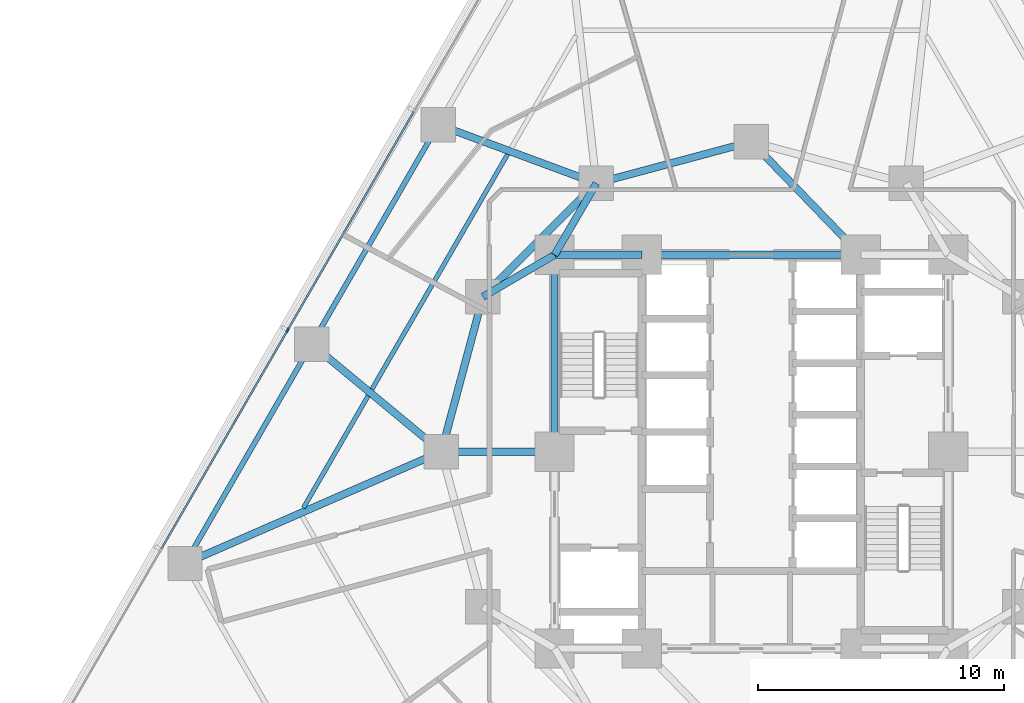
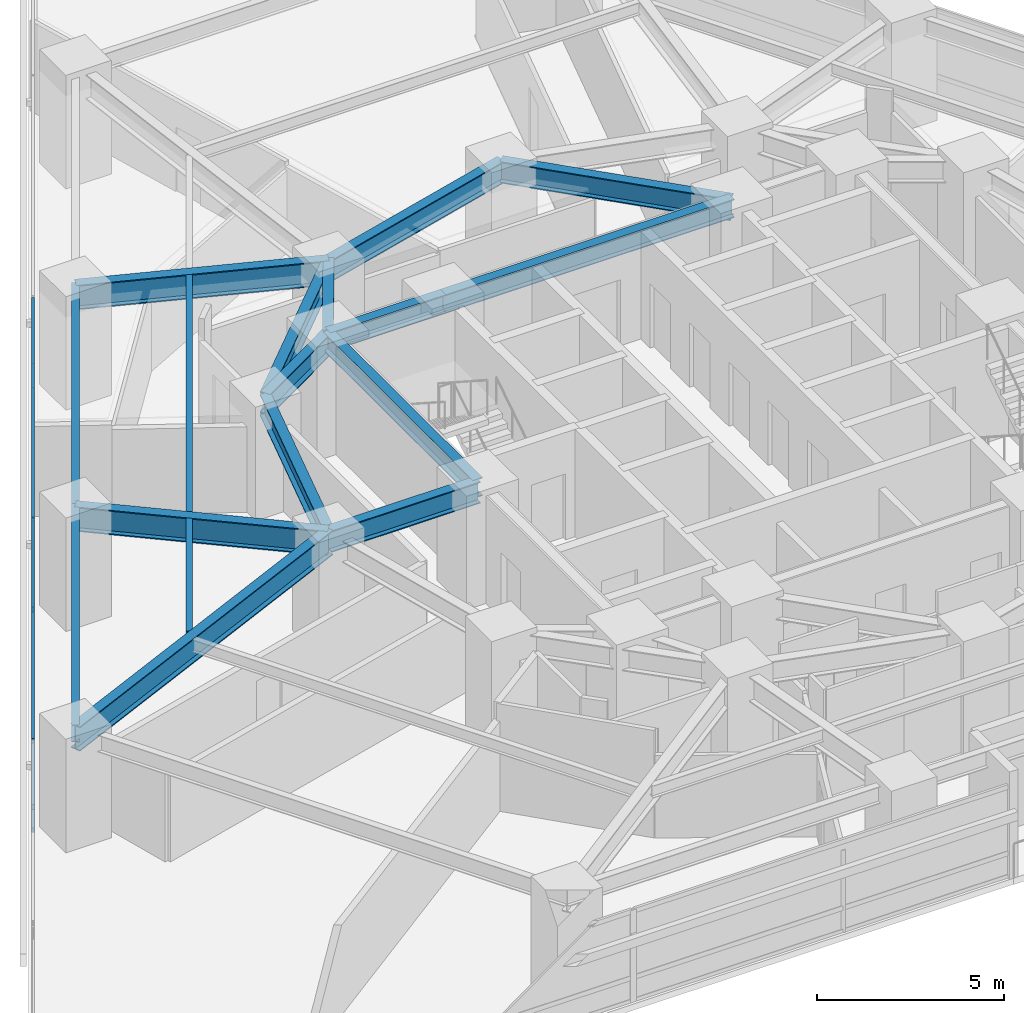
# One storey, part 3 of 16: 17 beams, 7 members, 1 element without a shape of its own.
"""IFC4 building model written with IfcOpenShell, lengths in metres."""

import ifcopenshell
import ifcopenshell.guid

model = None  # the IFC model being written
_history = None  # IfcOwnerHistory: only IFC2X3 demands one
_inside = {}  # id of a spatial element -> (the spatial element, [elements in it])
_under = {}  # id of a project, library or spatial element -> (it, [spatial elements below it])
_declared = {}  # id of a project -> (the project, [libraries it declares])
_typed = {}  # id of a type object -> (the type object, [elements of that type])
_made_of = {}  # id of a material, layer set ... -> (it, [elements and type objects made of it])


def new_model(schema):
    """Start an empty IFC model of exactly this schema.

    Asked for "IFC4X3", IfcOpenShell would pick the latest addendum, in which some entities
    have other attributes; the version numbers below select the first issue.
    IFC2X3 requires an IfcOwnerHistory on every rooted entity: one is made here for all.
    """
    global model, _history
    if schema == "IFC4X3":
        model = ifcopenshell.file(schema_version=(4, 3, 0, 0))
    else:
        model = ifcopenshell.file(schema=schema)
    _inside.clear()
    _under.clear()
    _declared.clear()
    _typed.clear()
    _made_of.clear()
    _history = None
    if model.schema == "IFC2X3":
        org = make("IfcOrganization", Name="unknown")
        user = make(
            "IfcPersonAndOrganization",
            ThePerson=make("IfcPerson", FamilyName="unknown"),
            TheOrganization=org,
        )
        app = make(
            "IfcApplication",
            ApplicationDeveloper=org,
            Version="unknown",
            ApplicationFullName="unknown",
            ApplicationIdentifier="unknown",
        )
        _history = make(
            "IfcOwnerHistory",
            OwningUser=user,
            OwningApplication=app,
            ChangeAction="ADDED",
            CreationDate=0,
        )
    return model


def make(cls, **values):
    """One entity of the class cls with the attributes given. An attribute that is None is left unset."""
    return model.create_entity(
        cls, **{name: value for name, value in values.items() if value is not None}
    )


def rooted(cls, **values):
    """An entity with a GlobalId (a new one), such as an element, a storey or a relation."""
    return make(cls, GlobalId=ifcopenshell.guid.new(), OwnerHistory=_history, **values)


def si_unit(unit_type, name, prefix=None):
    """IfcSIUnit, for example si_unit("LENGTHUNIT", "METRE", prefix="MILLI")."""
    return make("IfcSIUnit", UnitType=unit_type, Prefix=prefix, Name=name)


def assignment(units):
    """IfcUnitAssignment: the units of a project."""
    return None if units is None else make("IfcUnitAssignment", Units=units)


def point(xyz):
    """IfcCartesianPoint."""
    return None if xyz is None else make("IfcCartesianPoint", Coordinates=xyz)


def direction(xyz):
    """IfcDirection."""
    return None if xyz is None else make("IfcDirection", DirectionRatios=xyz)


def frame(location, z_axis=None, x_axis=None):
    """IfcAxis2Placement3D, a coordinate frame: its origin and axes. An axis left out is left unset."""
    return make(
        "IfcAxis2Placement3D",
        Location=point(location),
        Axis=direction(z_axis),
        RefDirection=direction(x_axis),
    )


def frame_2d(location, x_axis=None):
    """IfcAxis2Placement2D, a coordinate frame in the plane: its origin and x axis."""
    return make(
        "IfcAxis2Placement2D", Location=point(location), RefDirection=direction(x_axis)
    )


def origin():
    """The frame at (0, 0, 0) with its axes left unset."""
    return frame((0.0, 0.0, 0.0))


def origin_2d():
    """The frame at (0, 0) in the plane with its x axis left unset."""
    return frame_2d((0.0, 0.0))


def place(relative_to, where):
    """IfcLocalPlacement: puts the frame where relative to a parent placement (None: the world)."""
    return make(
        "IfcLocalPlacement", PlacementRelTo=relative_to, RelativePlacement=where
    )


def context(
    kind, dimensions, precision=None, world=None, true_north=None, identifier=None
):
    """IfcGeometricRepresentationContext, for example the 3D "Model" context."""
    return make(
        "IfcGeometricRepresentationContext",
        ContextIdentifier=identifier,
        ContextType=kind,
        CoordinateSpaceDimension=dimensions,
        Precision=precision,
        WorldCoordinateSystem=world,
        TrueNorth=true_north,
    )


def subcontext(parent, identifier, kind, view, scale=None):
    """IfcGeometricRepresentationSubContext, for example "Body" below "Model"."""
    return make(
        "IfcGeometricRepresentationSubContext",
        ContextIdentifier=identifier,
        ContextType=kind,
        ParentContext=parent,
        TargetScale=scale,
        TargetView=view,
    )


def project(units=None, contexts=None):
    """IfcProject with its units and contexts."""
    return rooted(
        "IfcProject",
        Name="project",
        RepresentationContexts=contexts,
        UnitsInContext=assignment(units),
    )


def spatial(cls, under=None, at=None, **own):
    """A site, building, storey or space (cls), placed at a placement, below another one or the project."""
    s = rooted(cls, ObjectPlacement=at, **own)
    if under is not None:
        _under.setdefault(under.id(), (under, []))[1].append(s)
    return s


def profile(cls, at=None, kind="AREA", **sizes):
    """A parametric profile (cls). Its sizes go by their IFC names, for example OverallWidth=200.0."""
    return make(cls, ProfileType=kind, Position=at, **sizes)


def rectangle(**sizes):
    """IfcRectangleProfileDef."""
    return profile("IfcRectangleProfileDef", **sizes)


def i_section(**sizes):
    """IfcIShapeProfileDef."""
    return profile("IfcIShapeProfileDef", **sizes)


def extrude(swept, where, along, depth):
    """IfcExtrudedAreaSolid: the profile swept, set in the frame where, extruded along a direction by depth."""
    return make(
        "IfcExtrudedAreaSolid",
        SweptArea=swept,
        Position=where,
        ExtrudedDirection=direction(along),
        Depth=depth,
    )


def shape(context_of_items, identifier, shape_type, items):
    """IfcShapeRepresentation: the items that make up one representation, for example the "Body"."""
    return make(
        "IfcShapeRepresentation",
        ContextOfItems=context_of_items,
        RepresentationIdentifier=identifier,
        RepresentationType=shape_type,
        Items=items,
    )


def material(Name=None, Category=None):
    """IfcMaterial."""
    return make("IfcMaterial", Name=Name, Category=Category)


def layer(
    of_material, thickness, ventilated=None, Name=None, Category=None, Priority=None
):
    """IfcMaterialLayer: one layer of a wall or slab, of a material (None: an air gap)."""
    return make(
        "IfcMaterialLayer",
        Material=of_material,
        LayerThickness=thickness,
        IsVentilated=ventilated,
        Name=Name,
        Category=Category,
        Priority=Priority,
    )


def layer_set(layers, Name=None):
    """IfcMaterialLayerSet."""
    return make("IfcMaterialLayerSet", MaterialLayers=layers, LayerSetName=Name)


def material_profile(
    of_material, cross_section, Name=None, Category=None, Priority=None
):
    """IfcMaterialProfile: a cross section and its material."""
    return make(
        "IfcMaterialProfile",
        Name=Name,
        Material=of_material,
        Profile=cross_section,
        Priority=Priority,
        Category=Category,
    )


def profile_set(profiles, Name=None, composite=None):
    """IfcMaterialProfileSet."""
    return make(
        "IfcMaterialProfileSet",
        Name=Name,
        MaterialProfiles=profiles,
        CompositeProfile=composite,
    )


def made_of(thing, what):
    """Note that an element or type object is made of a material, layer set ...; save() writes the relation."""
    if what is not None:
        _made_of.setdefault(what.id(), (what, []))[1].append(thing)
    return thing


def type_object(cls, material=None, **own):
    """A type object (cls), such as IfcWallType, which elements share."""
    return made_of(rooted(cls, **own), material)


def element(
    cls,
    number,
    at=None,
    inside=None,
    cuts=None,
    type_object=None,
    material=None,
    context=None,
    identifier="Body",
    shape_type=None,
    held_by="IfcProductDefinitionShape",
    body=None,
    shapes=None,
    **own,
):
    """One element of the class cls, such as IfcWall. Its Tag is "e" and its number.

    at: its placement. inside: the storey or other place that contains it. cuts: it is an
    opening in that element (IfcRelVoidsElement). A single representation is given by context,
    identifier, shape_type and body (its items); several are given by shapes. held_by: the class
    of the entity that holds the representations. save() writes the other relations.
    """
    e = rooted(cls, Tag="e%d" % number, ObjectPlacement=at, **own)
    if body is not None:
        shapes = [shape(context, identifier, shape_type, body)]
    if shapes is not None:
        e.Representation = make(held_by, Representations=shapes)
    if inside is not None:
        _inside.setdefault(inside.id(), (inside, []))[1].append(e)
    if cuts is not None:
        rooted(
            "IfcRelVoidsElement", RelatingBuildingElement=cuts, RelatedOpeningElement=e
        )
    if type_object is not None:
        _typed.setdefault(type_object.id(), (type_object, []))[1].append(e)
    return made_of(e, material)


def aggregate(whole, parts):
    """IfcRelAggregates: a whole, such as a stair, and the parts it consists of."""
    return rooted("IfcRelAggregates", RelatingObject=whole, RelatedObjects=parts)


def save(model, path):
    """Write the relations noted so far, then the file.

    IfcRelAggregates (storeys below a building ...), IfcRelContainedInSpatialStructure (elements
    in a storey), IfcRelDefinesByType, IfcRelAssociatesMaterial and IfcRelDeclares: one each for
    every whole, place, type object, material and project.
    """
    for whole, parts in _under.values():
        aggregate(whole, parts)
    for where, things in _inside.values():
        rooted(
            "IfcRelContainedInSpatialStructure",
            RelatedElements=things,
            RelatingStructure=where,
        )
    for kind, things in _typed.values():
        rooted("IfcRelDefinesByType", RelatedObjects=things, RelatingType=kind)
    for what, things in _made_of.values():
        rooted("IfcRelAssociatesMaterial", RelatedObjects=things, RelatingMaterial=what)
    for by, libraries in _declared.values():
        rooted("IfcRelDeclares", RelatingContext=by, RelatedDefinitions=libraries)
    model.write(path)


model = new_model("IFC4")

# Units and contexts
model_context = context("Model", 3, precision=1e-05, world=origin(), true_north=direction((0.0, 1.0)))
body_context = subcontext(model_context, "Body", "Model", "MODEL_VIEW")
ifc_project = project(units=[si_unit("LENGTHUNIT", "METRE"), si_unit("AREAUNIT", "SQUARE_METRE"), si_unit("VOLUMEUNIT", "CUBIC_METRE"), si_unit("PLANEANGLEUNIT", "RADIAN"), si_unit("MASSUNIT", "GRAM", prefix="KILO")], contexts=[model_context])

# Site, building, storey
site_placement = place(None, origin())
site = spatial("IfcSite", under=ifc_project, at=site_placement, CompositionType="ELEMENT")
building_placement = place(site_placement, origin())
building = spatial("IfcBuilding", under=site, at=building_placement, Name="Terralouvre Media Tower", CompositionType="ELEMENT")
storey_placement = place(building_placement, frame((0.0, 0.0, 44.5)))
storey = spatial("IfcBuildingStorey", under=building, at=storey_placement, Name="L10", CompositionType="ELEMENT", Elevation=44.5)

# Beams
ifc_material_1 = material(Name="Structural steel S355J2", Category="steel")
ifc_material_profile_1 = material_profile(ifc_material_1, i_section(OverallWidth=0.179931640625, OverallDepth=0.39990234375, WebThickness=0.008544921875, FlangeThickness=0.013427734375, at=origin_2d()), Name="IPE 400")
ifc_profile_set_1 = profile_set([ifc_material_profile_1], Name="Structural steel S355J2")
beam_type_1 = type_object("IfcBeamType", Name="Composite Floor Joist J-IPE400 (IPE 400)", PredefinedType="JOIST", material=ifc_profile_set_1)
beam_1_placement = place(storey_placement, frame((-9.90869140625, 12.091796875, 3.300048828125), z_axis=(-0.499996323086, -0.866027526641, 0.0), x_axis=(0.866027526641, -0.499996323086, 0.0)))
element("IfcBeam", 1, at=beam_1_placement, inside=storey, type_object=beam_type_1, Name="L10 Framing Beam JT-L10-11", PredefinedType="JOIST", context=body_context, shape_type="SweptSolid", body=[
    extrude(i_section(OverallWidth=0.179931640625, OverallDepth=0.39990234375, WebThickness=0.008544921875, FlangeThickness=0.013427734375, at=origin_2d()), origin(), (0.0, 0.0, 1.0), 11.03466796875),
])
beam_2_placement = place(storey_placement, frame((-15.576171875, 2.275390625, 3.300048828125), z_axis=(-0.500019514865, -0.866014136579, 0.0), x_axis=(0.866014136579, -0.500019514865, 0.0)))
element("IfcBeam", 2, at=beam_2_placement, inside=storey, type_object=beam_type_1, Name="L10 Framing Beam JT-L10-12", PredefinedType="JOIST", context=body_context, shape_type="SweptSolid", body=[
    extrude(i_section(OverallWidth=0.179931640625, OverallDepth=0.39990234375, WebThickness=0.008544921875, FlangeThickness=0.013427734375, at=origin_2d()), origin(), (0.0, 0.0, 1.0), 5.264404296875),
])

# Curtain wall, members
ifc_material_2 = material(Name="Low-iron laminated double glazing with solar-control coating", Category="glass")
ifc_layer = layer(ifc_material_2, 0.1650390625, Name="Lower Media Tower Unitised Curtain Wall CW-02")
ifc_layer_set = layer_set([ifc_layer], Name="Low-iron laminated double glazing with solar-control coating")
curtain_wall_type = type_object("IfcCurtainWallType", Name="Lower Media Tower Unitised Curtain Wall CW-02", PredefinedType="NOTDEFINED", material=ifc_layer_set)
curtain_wall_placement = place(storey_placement, origin())
curtain_wall = element("IfcCurtainWall", 3, at=curtain_wall_placement, inside=storey, type_object=curtain_wall_type, Name="L10 Facade Curtain Wall F2", PredefinedType="NOTDEFINED")
ifc_material_3 = material(Name="Anodised extruded aluminium 6063-T6", Category="aluminium")
ifc_material_profile_2 = material_profile(ifc_material_3, rectangle(XDim=0.074951171875, YDim=0.14990234375, at=origin_2d()), Name="ALU 75x150")
ifc_profile_set_2 = profile_set([ifc_material_profile_2], Name="Anodised extruded aluminium 6063-T6")
member_type_1 = type_object("IfcMemberType", Name="Curtain-Wall Horizontal Transom TR-150", PredefinedType="USERDEFINED", material=ifc_profile_set_2)
member_1_placement = place(storey_placement, frame((-13.72216796875, 13.825927734375, 0.03759765625), z_axis=(-0.50000905659, -0.866020174897, 0.0), x_axis=(0.866020174897, -0.50000905659, 0.0)))
member_1 = element("IfcMember", 4, at=member_1_placement, type_object=member_type_1, Name="CW-02 transom 3.1", ObjectType="TRANSOM", PredefinedType="USERDEFINED", context=body_context, shape_type="SweptSolid", body=[
    extrude(rectangle(XDim=0.074951171875, YDim=0.14990234375, at=origin_2d()), origin(), (0.0, 0.0, 1.0), 10.224853515625),
])
member_2_placement = place(storey_placement, frame((-13.72216796875, 13.825927734375, 0.800048828125), z_axis=(-0.50000905659, -0.866020174897, 0.0), x_axis=(0.866020174897, -0.50000905659, 0.0)))
member_2 = element("IfcMember", 5, at=member_2_placement, type_object=member_type_1, Name="CW-02 transom 3.2", ObjectType="TRANSOM", PredefinedType="USERDEFINED", context=body_context, shape_type="SweptSolid", body=[
    extrude(rectangle(XDim=0.074951171875, YDim=0.14990234375, at=origin_2d()), origin(), (0.0, 0.0, 1.0), 10.224853515625),
])
member_3_placement = place(storey_placement, frame((-13.72216796875, 13.825927734375, 2.96240234375), z_axis=(-0.50000905659, -0.866020174897, 0.0), x_axis=(0.866020174897, -0.50000905659, 0.0)))
member_3 = element("IfcMember", 6, at=member_3_placement, type_object=member_type_1, Name="CW-02 transom 3.3", ObjectType="TRANSOM", PredefinedType="USERDEFINED", context=body_context, shape_type="SweptSolid", body=[
    extrude(rectangle(XDim=0.074951171875, YDim=0.14990234375, at=origin_2d()), origin(), (0.0, 0.0, 1.0), 10.224853515625),
])
member_4_placement = place(storey_placement, frame((-18.872314453125, 4.90576171875, 0.03759765625), z_axis=(-0.499991148707, -0.866030514021, 0.0), x_axis=(0.866030514021, -0.499991148707, 0.0)))
member_4 = element("IfcMember", 7, at=member_4_placement, type_object=member_type_1, Name="CW-02 transom 4.1", ObjectType="TRANSOM", PredefinedType="USERDEFINED", context=body_context, shape_type="SweptSolid", body=[
    extrude(rectangle(XDim=0.074951171875, YDim=0.14990234375, at=origin_2d()), origin(), (0.0, 0.0, 1.0), 10.224853515625),
])
member_5_placement = place(storey_placement, frame((-18.872314453125, 4.90576171875, 0.800048828125), z_axis=(-0.499991148707, -0.866030514021, 0.0), x_axis=(0.866030514021, -0.499991148707, 0.0)))
member_5 = element("IfcMember", 8, at=member_5_placement, type_object=member_type_1, Name="CW-02 transom 4.2", ObjectType="TRANSOM", PredefinedType="USERDEFINED", context=body_context, shape_type="SweptSolid", body=[
    extrude(rectangle(XDim=0.074951171875, YDim=0.14990234375, at=origin_2d()), origin(), (0.0, 0.0, 1.0), 10.224853515625),
])
member_6_placement = place(storey_placement, frame((-18.872314453125, 4.90576171875, 2.96240234375), z_axis=(-0.499991148707, -0.866030514021, 0.0), x_axis=(0.866030514021, -0.499991148707, 0.0)))
member_6 = element("IfcMember", 9, at=member_6_placement, type_object=member_type_1, Name="CW-02 transom 4.3", ObjectType="TRANSOM", PredefinedType="USERDEFINED", context=body_context, shape_type="SweptSolid", body=[
    extrude(rectangle(XDim=0.074951171875, YDim=0.14990234375, at=origin_2d()), origin(), (0.0, 0.0, 1.0), 10.224853515625),
])
ifc_material_4 = material(Name="Anodised extruded aluminium 6063-T6", Category="aluminium")
ifc_material_profile_3 = material_profile(ifc_material_4, rectangle(XDim=0.074951171875, YDim=0.179931640625, at=origin_2d()), Name="ALU 75x180")
ifc_profile_set_3 = profile_set([ifc_material_profile_3], Name="Anodised extruded aluminium 6063-T6")
member_type_2 = type_object("IfcMemberType", Name="Curtain-Wall Vertical Mullion ML-180", PredefinedType="MULLION", material=ifc_profile_set_3)
member_7_placement = place(storey_placement, frame((-18.853515625, 4.938232421875, 0.0), z_axis=(0.0, 0.0, 1.0), x_axis=(0.866025412057, -0.499999985671, 0.0)))
member_7 = element("IfcMember", 10, at=member_7_placement, type_object=member_type_2, Name="CW-02 mullion 4", PredefinedType="MULLION", context=body_context, shape_type="SweptSolid", body=[
    extrude(rectangle(XDim=0.074951171875, YDim=0.179931640625, at=origin_2d()), origin(), (0.0, 0.0, 1.0), 3.0),
])
aggregate(curtain_wall, [member_7, member_1, member_2, member_3, member_4, member_5, member_6])

# Beams
ifc_material_5 = material(Name="Structural steel S355J2", Category="steel")
ifc_material_profile_4 = material_profile(ifc_material_5, i_section(OverallWidth=0.2099609375, OverallDepth=0.550048828125, WebThickness=0.010986328125, FlangeThickness=0.01708984375, at=origin_2d()), Name="IPE 550")
ifc_profile_set_4 = profile_set([ifc_material_profile_4], Name="Structural steel S355J2")
beam_type_2 = type_object("IfcBeamType", Name="Perimeter Spandrel Beam SPB-550 (IPE 550)", PredefinedType="SPANDREL", material=ifc_profile_set_4)
for number, where, z_axis, x_axis, name in (
    (11, (-12.724853515625, 13.29345703125, 3.22509765625), (-0.49998850195, -0.866032042085, 0.0), (0.866032042085, -0.49998850195, 0.0), "L10 Framing Beam BM-L10-PR11"),
    (12, (-17.874755859375, 4.373291015625, 3.22509765625), (-0.500016542852, -0.866015852554, 0.0), (0.866015852554, -0.500016542852, 0.0), "L10 Framing Beam BM-L10-PR12"),
):
    element("IfcBeam", number, at=place(storey_placement, frame(where, z_axis=z_axis, x_axis=x_axis)), inside=storey, type_object=beam_type_2, Name=name, PredefinedType="SPANDREL", context=body_context, shape_type="SweptSolid", body=[
        extrude(i_section(OverallWidth=0.2099609375, OverallDepth=0.550048828125, WebThickness=0.010986328125, FlangeThickness=0.01708984375, at=origin_2d()), origin(), (0.0, 0.0, 1.0), 10.300048828125),
    ])
ifc_material_6 = material(Name="Structural steel S460M", Category="steel")
ifc_material_profile_5 = material_profile(ifc_material_6, i_section(OverallWidth=0.300048828125, OverallDepth=0.60009765625, WebThickness=0.015380859375, FlangeThickness=0.030029296875, at=origin_2d()), Name="HEB 600")
ifc_profile_set_5 = profile_set([ifc_material_profile_5], Name="Structural steel S460M")
beam_type_3 = type_object("IfcBeamType", Name="Primary Floor Girder B-HEB600 (HEB 600)", PredefinedType="BEAM", material=ifc_profile_set_5)
beam_3_placement = place(storey_placement, frame((4.449951171875, 8.0, 3.199951171875), z_axis=(-1.0, 0.0, 0.0), x_axis=(0.0, -1.0, 0.0)))
element("IfcBeam", 13, at=beam_3_placement, inside=storey, type_object=beam_type_3, Name="L10 Framing Beam BM-L10-CPR07", PredefinedType="BEAM", context=body_context, shape_type="SweptSolid", body=[
    extrude(i_section(OverallWidth=0.300048828125, OverallDepth=0.60009765625, WebThickness=0.015380859375, FlangeThickness=0.030029296875, at=origin_2d()), origin(), (0.0, 0.0, 1.0), 8.89990234375),
])
beam_4_placement = place(storey_placement, frame((-4.449951171875, 8.0, 3.199951171875), z_axis=(-1.0, 0.0, 0.0), x_axis=(0.0, -1.0, 0.0)))
element("IfcBeam", 14, at=beam_4_placement, inside=storey, type_object=beam_type_3, Name="L10 Framing Beam BM-L10-CPR08", PredefinedType="BEAM", context=body_context, shape_type="SweptSolid", body=[
    extrude(i_section(OverallWidth=0.300048828125, OverallDepth=0.60009765625, WebThickness=0.015380859375, FlangeThickness=0.030029296875, at=origin_2d()), origin(), (0.0, 0.0, 1.0), 3.550048828125),
])
beam_5_placement = place(storey_placement, frame((-8.0, 8.0, 3.199951171875), z_axis=(0.0, -1.0, 0.0), x_axis=(1.0, 0.0, 0.0)))
element("IfcBeam", 15, at=beam_5_placement, inside=storey, type_object=beam_type_3, Name="L10 Framing Beam BM-L10-CPR09", PredefinedType="BEAM", context=body_context, shape_type="SweptSolid", body=[
    extrude(i_section(OverallWidth=0.300048828125, OverallDepth=0.60009765625, WebThickness=0.015380859375, FlangeThickness=0.030029296875, at=origin_2d()), origin(), (0.0, 0.0, 1.0), 8.0),
])
ifc_material_7 = material(Name="Structural steel S460M", Category="steel")
ifc_material_profile_6 = material_profile(ifc_material_7, i_section(OverallWidth=0.300048828125, OverallDepth=0.699951171875, WebThickness=0.01708984375, FlangeThickness=0.031982421875, at=origin_2d()), Name="HEB 700")
ifc_profile_set_6 = profile_set([ifc_material_profile_6], Name="Structural steel S460M")
beam_type_4 = type_object("IfcBeamType", Name="Primary Floor Girder B-HEB700 (HEB 700)", PredefinedType="BEAM", material=ifc_profile_set_6)
beam_6_placement = place(storey_placement, frame((0.0, 12.60009765625, 3.14990234375), z_axis=(-0.965920481897, -0.258838989821, 0.0), x_axis=(0.258838989821, -0.965920481897, 0.0)))
element("IfcBeam", 16, at=beam_6_placement, inside=storey, type_object=beam_type_4, Name="L10 Framing Beam BM-L10-MR09", PredefinedType="BEAM", context=body_context, shape_type="SweptSolid", body=[
    extrude(i_section(OverallWidth=0.300048828125, OverallDepth=0.699951171875, WebThickness=0.01708984375, FlangeThickness=0.031982421875, at=origin_2d()), origin(), (0.0, 0.0, 1.0), 6.522216796875),
])
beam_7_placement = place(storey_placement, frame((-6.300048828125, 10.911865234375, 3.14990234375), z_axis=(-0.707106781187, -0.707106781187, 0.0), x_axis=(0.707106781187, -0.707106781187, 0.0)))
element("IfcBeam", 17, at=beam_7_placement, inside=storey, type_object=beam_type_4, Name="L10 Framing Beam BM-L10-MR10", PredefinedType="BEAM", context=body_context, shape_type="SweptSolid", body=[
    extrude(i_section(OverallWidth=0.300048828125, OverallDepth=0.699951171875, WebThickness=0.01708984375, FlangeThickness=0.031982421875, at=origin_2d()), origin(), (0.0, 0.0, 1.0), 6.52197265625),
])
beam_8_placement = place(storey_placement, frame((-10.911865234375, 6.300048828125, 3.14990234375), z_axis=(-0.258838989821, -0.965920481897, 0.0), x_axis=(0.965920481897, -0.258838989821, 0.0)))
element("IfcBeam", 18, at=beam_8_placement, inside=storey, type_object=beam_type_4, Name="L10 Framing Beam BM-L10-MR11", PredefinedType="BEAM", context=body_context, shape_type="SweptSolid", body=[
    extrude(i_section(OverallWidth=0.300048828125, OverallDepth=0.699951171875, WebThickness=0.01708984375, FlangeThickness=0.031982421875, at=origin_2d()), origin(), (0.0, 0.0, 1.0), 6.522216796875),
])
beam_9_placement = place(storey_placement, frame((4.449951171875, 8.0, 3.14990234375), z_axis=(-0.695279715726, 0.718739255155, 0.0), x_axis=(-0.718739255155, -0.695279715726, 0.0)))
element("IfcBeam", 19, at=beam_9_placement, inside=storey, type_object=beam_type_4, Name="L10 Framing Beam BM-L10-CM09", PredefinedType="BEAM", context=body_context, shape_type="SweptSolid", body=[
    extrude(i_section(OverallWidth=0.300048828125, OverallDepth=0.699951171875, WebThickness=0.01708984375, FlangeThickness=0.031982421875, at=origin_2d()), origin(), (0.0, 0.0, 1.0), 6.400146484375),
])
for number, where, z_axis, x_axis, name in (
    (20, (-8.0, 8.0, 3.14990234375), (0.504172629717, 0.863602894532, 0.0), (-0.863602894532, 0.504172629717, 0.0), "L10 Framing Beam BM-L10-CM10"),
    (21, (-8.0, 8.0, 3.14990234375), (-0.863602894532, -0.504172629717, 0.0), (0.504172629717, -0.863602894532, 0.0), "L10 Framing Beam BM-L10-CM11"),
):
    element("IfcBeam", number, at=place(storey_placement, frame(where, z_axis=z_axis, x_axis=x_axis)), inside=storey, type_object=beam_type_4, Name=name, PredefinedType="BEAM", context=body_context, shape_type="SweptSolid", body=[
        extrude(i_section(OverallWidth=0.300048828125, OverallDepth=0.699951171875, WebThickness=0.01708984375, FlangeThickness=0.031982421875, at=origin_2d()), origin(), (0.0, 0.0, 1.0), 3.371826171875),
    ])
beam_10_placement = place(storey_placement, frame((-8.0, 0.0, 3.14990234375), z_axis=(-1.0, 0.0, 0.0), x_axis=(0.0, -1.0, 0.0)))
element("IfcBeam", 22, at=beam_10_placement, inside=storey, type_object=beam_type_4, Name="L10 Framing Beam BM-L10-CM12", PredefinedType="BEAM", context=body_context, shape_type="SweptSolid", body=[
    extrude(i_section(OverallWidth=0.300048828125, OverallDepth=0.699951171875, WebThickness=0.01708984375, FlangeThickness=0.031982421875, at=origin_2d()), origin(), (0.0, 0.0, 1.0), 4.60009765625),
])
ifc_material_8 = material(Name="Structural steel S460M", Category="steel")
ifc_material_profile_7 = material_profile(ifc_material_8, i_section(OverallWidth=0.300048828125, OverallDepth=0.800048828125, WebThickness=0.017578125, FlangeThickness=0.032958984375, at=origin_2d()), Name="HEB 800")
ifc_profile_set_7 = profile_set([ifc_material_profile_7], Name="Structural steel S460M")
beam_type_5 = type_object("IfcBeamType", Name="Primary Floor Girder B-HEB800 (HEB 800)", PredefinedType="BEAM", material=ifc_profile_set_7)
beam_11_placement = place(storey_placement, frame((-12.60009765625, 0.0, 3.10009765625), z_axis=(-0.916615903868, -0.399769039291, 0.0), x_axis=(0.399769039291, -0.916615903868, 0.0)))
element("IfcBeam", 23, at=beam_11_placement, inside=storey, type_object=beam_type_5, Name="L10 Framing Beam BM-L10-RD01", PredefinedType="BEAM", context=body_context, shape_type="SweptSolid", body=[
    extrude(i_section(OverallWidth=0.300048828125, OverallDepth=0.800048828125, WebThickness=0.017578125, FlangeThickness=0.032958984375, at=origin_2d()), origin(), (0.0, 0.0, 1.0), 11.373046875),
])
beam_12_placement = place(storey_placement, frame((-6.300048828125, 10.911865234375, 3.10009765625), z_axis=(-0.937652019179, 0.347575446386, 0.0), x_axis=(-0.347575446386, -0.937652019179, 0.0)))
element("IfcBeam", 24, at=beam_12_placement, inside=storey, type_object=beam_type_5, Name="L10 Framing Beam BM-L10-RD11", PredefinedType="BEAM", context=body_context, shape_type="SweptSolid", body=[
    extrude(i_section(OverallWidth=0.300048828125, OverallDepth=0.800048828125, WebThickness=0.017578125, FlangeThickness=0.032958984375, at=origin_2d()), origin(), (0.0, 0.0, 1.0), 6.85205078125),
])
beam_13_placement = place(storey_placement, frame((-12.60009765625, 0.0, 3.10009765625), z_axis=(-0.769816459478, 0.638265320001, 0.0), x_axis=(-0.638265320001, -0.769816459478, 0.0)))
element("IfcBeam", 25, at=beam_13_placement, inside=storey, type_object=beam_type_5, Name="L10 Framing Beam BM-L10-RD12", PredefinedType="BEAM", context=body_context, shape_type="SweptSolid", body=[
    extrude(i_section(OverallWidth=0.300048828125, OverallDepth=0.800048828125, WebThickness=0.017578125, FlangeThickness=0.032958984375, at=origin_2d()), origin(), (0.0, 0.0, 1.0), 6.851806640625),
])

save(model, "model.ifc")
